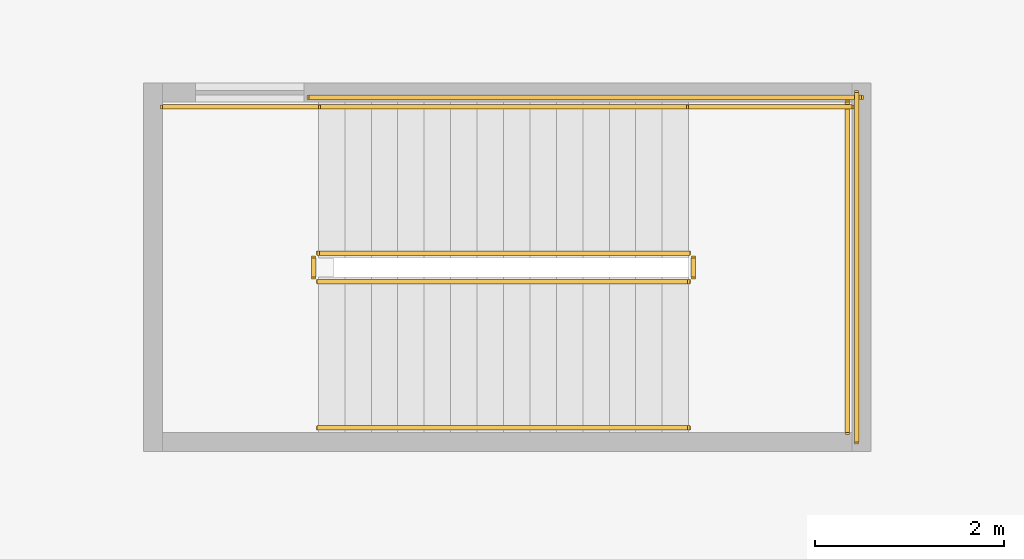
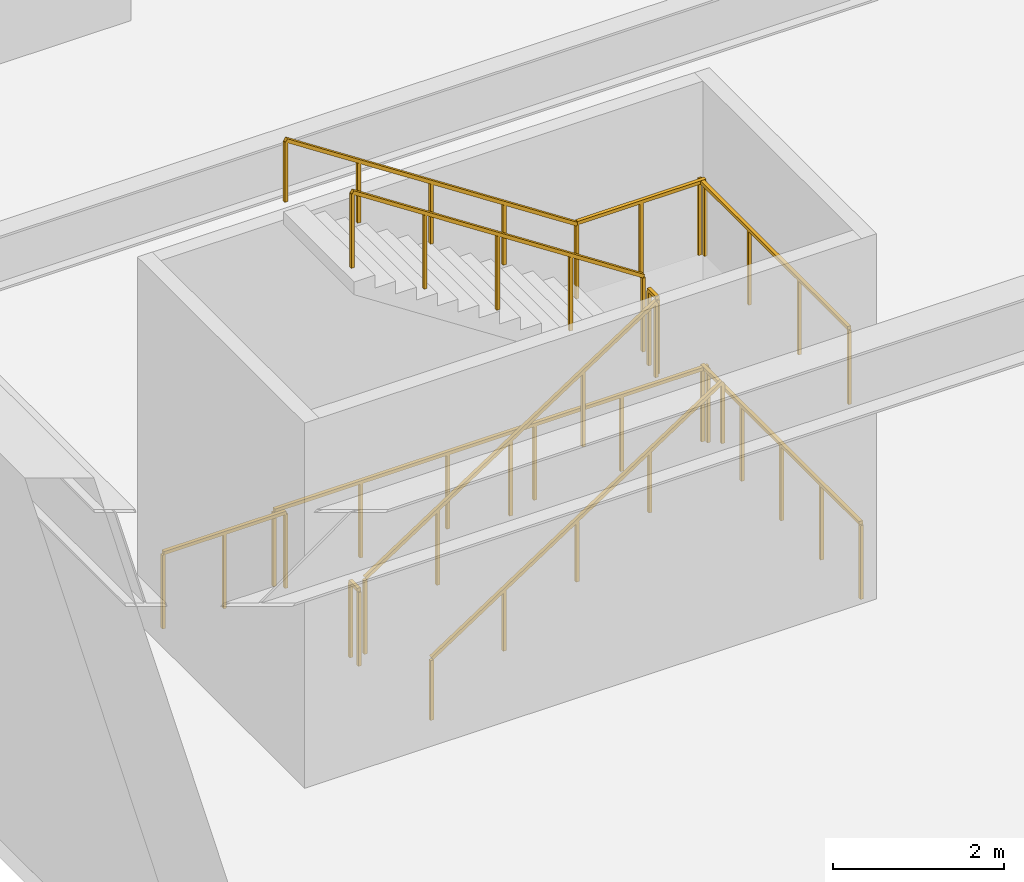
# One storey, part 13 of 17: 11 railings.
"""IFC4 building model written with IfcOpenShell, lengths in metres."""

from ifc_helpers import new_model, si_unit, direction, frame, origin, origin_2d, place, context, subcontext, project, spatial, rectangle, extrude, material, type_object, element, save


model = new_model("IFC4")

# Units and contexts
model_context = context("Model", 3, precision=1e-05, world=origin(), true_north=direction((0.0, 1.0)))
body_context = subcontext(model_context, "Body", "Model", "MODEL_VIEW")
ifc_project = project(units=[si_unit("LENGTHUNIT", "METRE"), si_unit("AREAUNIT", "SQUARE_METRE"), si_unit("VOLUMEUNIT", "CUBIC_METRE"), si_unit("PLANEANGLEUNIT", "RADIAN"), si_unit("MASSUNIT", "GRAM", prefix="KILO")], contexts=[model_context])

# Site, building, storey
site_placement = place(None, origin())
site = spatial("IfcSite", under=ifc_project, at=site_placement, CompositionType="ELEMENT")
building_placement = place(site_placement, origin())
building = spatial("IfcBuilding", under=site, at=building_placement, Name="Tashvorn Skyway Center", CompositionType="ELEMENT")
storey_placement = place(building_placement, frame((0.0, 0.0, -5.5)))
storey = spatial("IfcBuildingStorey", under=building, at=storey_placement, Name="B1", CompositionType="ELEMENT", Elevation=-5.5)

# Railings
ifc_material_1 = material(Name="Brushed stainless steel 316", Category="steel")
railing_type_1 = type_object("IfcRailingType", Name="RAIL-HAND-920", PredefinedType="HANDRAIL", material=ifc_material_1)
railing_1_placement = place(storey_placement, frame((5.449951171875, 9.85009765625, 0.183349609375)))
element("IfcRailing", 1, at=railing_1_placement, inside=storey, type_object=railing_type_1, Name="B1 ST-POD-1 stair handrail 1", PredefinedType="HANDRAIL", context=body_context, shape_type="SweptSolid", body=[
    extrude(rectangle(XDim=0.048095703125, YDim=0.048095703125, at=origin_2d()), frame((0.0, 0.0, 0.8759765625), z_axis=(0.836630751959, 0.0, 0.54776727255), x_axis=(0.0, 1.0, 0.0)), (0.0, 0.0, 1.0), 4.685546875),
    extrude(rectangle(XDim=0.0419921875, YDim=0.0419921875, at=origin_2d()), origin(), (0.0, 0.0, 1.0), 0.851806640625),
    extrude(rectangle(XDim=0.0419921875, YDim=0.0419921875, at=origin_2d()), frame((0.97998046875, 0.0, 0.6416015625)), (0.0, 0.0, 1.0), 0.851806640625),
    extrude(rectangle(XDim=0.0419921875, YDim=0.0419921875, at=origin_2d()), frame((1.9599609375, 0.0, 1.283203125)), (0.0, 0.0, 1.0), 0.851806640625),
    extrude(rectangle(XDim=0.0419921875, YDim=0.0419921875, at=origin_2d()), frame((2.940185546875, 0.0, 1.925048828125)), (0.0, 0.0, 1.0), 0.851806640625),
    extrude(rectangle(XDim=0.0419921875, YDim=0.0419921875, at=origin_2d()), frame((3.920166015625, 0.0, 2.566650390625)), (0.0, 0.0, 1.0), 0.851806640625),
])
railing_2_placement = place(storey_placement, frame((9.3701171875, 13.25, 2.933349609375)))
element("IfcRailing", 2, at=railing_2_placement, inside=storey, type_object=railing_type_1, Name="B1 ST-POD-1 stair handrail 2", PredefinedType="HANDRAIL", context=body_context, shape_type="SweptSolid", body=[
    extrude(rectangle(XDim=0.048095703125, YDim=0.048095703125, at=origin_2d()), frame((0.0, 0.0, 0.8759765625), z_axis=(-0.836630751959, 0.0, 0.54776727255), x_axis=(0.0, -1.0, 0.0)), (0.0, 0.0, 1.0), 4.685546875),
    extrude(rectangle(XDim=0.0419921875, YDim=0.0419921875, at=origin_2d()), origin(), (0.0, 0.0, 1.0), 0.851806640625),
    extrude(rectangle(XDim=0.0419921875, YDim=0.0419921875, at=origin_2d()), frame((-0.97998046875, 0.0, 0.6416015625)), (0.0, 0.0, 1.0), 0.851806640625),
    extrude(rectangle(XDim=0.0419921875, YDim=0.0419921875, at=origin_2d()), frame((-1.9599609375, 0.0, 1.283203125)), (0.0, 0.0, 1.0), 0.851806640625),
    extrude(rectangle(XDim=0.0419921875, YDim=0.0419921875, at=origin_2d()), frame((-2.940185546875, 0.0, 1.925048828125)), (0.0, 0.0, 1.0), 0.851806640625),
    extrude(rectangle(XDim=0.0419921875, YDim=0.0419921875, at=origin_2d()), frame((-3.920166015625, 0.0, 2.566650390625)), (0.0, 0.0, 1.0), 0.851806640625),
])
ifc_material_2 = material(Name="Painted galvanized steel S355", Category="steel")
railing_type_2 = type_object("IfcRailingType", Name="RAIL-STGUARD-1100", PredefinedType="GUARDRAIL", material=ifc_material_2)
railing_3_placement = place(storey_placement, frame((5.449951171875, 11.39990234375, 0.183349609375)))
element("IfcRailing", 3, at=railing_3_placement, inside=storey, type_object=railing_type_2, Name="B1 ST-POD-1 stair guard 1", PredefinedType="GUARDRAIL", context=body_context, shape_type="SweptSolid", body=[
    extrude(rectangle(XDim=0.048095703125, YDim=0.048095703125, at=origin_2d()), frame((0.0, 0.0, 1.076171875), z_axis=(0.836630751959, 0.0, 0.54776727255), x_axis=(0.0, 1.0, 0.0)), (0.0, 0.0, 1.0), 4.685546875),
    extrude(rectangle(XDim=0.0419921875, YDim=0.0419921875, at=origin_2d()), origin(), (0.0, 0.0, 1.0), 1.052001953125),
    extrude(rectangle(XDim=0.0419921875, YDim=0.0419921875, at=origin_2d()), frame((0.97998046875, 0.0, 0.6416015625)), (0.0, 0.0, 1.0), 1.052001953125),
    extrude(rectangle(XDim=0.0419921875, YDim=0.0419921875, at=origin_2d()), frame((1.9599609375, 0.0, 1.283203125)), (0.0, 0.0, 1.0), 1.052001953125),
    extrude(rectangle(XDim=0.0419921875, YDim=0.0419921875, at=origin_2d()), frame((2.940185546875, 0.0, 1.925048828125)), (0.0, 0.0, 1.0), 1.052001953125),
    extrude(rectangle(XDim=0.0419921875, YDim=0.0419921875, at=origin_2d()), frame((3.920166015625, 0.0, 2.566650390625)), (0.0, 0.0, 1.0), 1.052001953125),
])
railing_4_placement = place(storey_placement, frame((9.419921875, 11.449951171875, 2.75)))
element("IfcRailing", 4, at=railing_4_placement, inside=storey, type_object=railing_type_2, Name="B1 ST-POD-1 stair guard 2", PredefinedType="GUARDRAIL", context=body_context, shape_type="SweptSolid", body=[
    extrude(rectangle(XDim=0.048095703125, YDim=0.048095703125, at=origin_2d()), frame((0.0, 0.0, 1.076171875), z_axis=(0.0, 1.0, 0.0), x_axis=(-1.0, 0.0, 0.0)), (0.0, 0.0, 1.0), 0.199951171875),
    extrude(rectangle(XDim=0.0419921875, YDim=0.0419921875, at=origin_2d()), origin(), (0.0, 0.0, 1.0), 1.052001953125),
    extrude(rectangle(XDim=0.0419921875, YDim=0.0419921875, at=origin_2d()), frame((0.0, 0.199951171875, 0.0)), (0.0, 0.0, 1.0), 1.052001953125),
])
railing_5_placement = place(storey_placement, frame((9.3701171875, 13.25, 2.75)))
element("IfcRailing", 5, at=railing_5_placement, inside=storey, type_object=railing_type_2, Name="B1 ST-POD-1 stair guard 3", PredefinedType="GUARDRAIL", context=body_context, shape_type="SweptSolid", body=[
    extrude(rectangle(XDim=0.048095703125, YDim=0.048095703125, at=origin_2d()), frame((0.0, 0.0, 1.076171875), z_axis=(1.0, 0.0, 0.0), x_axis=(0.0, 1.0, 0.0)), (0.0, 0.0, 1.0), 1.72998046875),
    extrude(rectangle(XDim=0.0419921875, YDim=0.0419921875, at=origin_2d()), origin(), (0.0, 0.0, 1.0), 1.052001953125),
    extrude(rectangle(XDim=0.0419921875, YDim=0.0419921875, at=origin_2d()), frame((0.864990234375, 0.0, 0.0)), (0.0, 0.0, 1.0), 1.052001953125),
    extrude(rectangle(XDim=0.0419921875, YDim=0.0419921875, at=origin_2d()), frame((1.72998046875, 0.0, 0.0)), (0.0, 0.0, 1.0), 1.052001953125),
])
railing_6_placement = place(storey_placement, frame((11.050048828125, 9.800048828125, 2.75)))
element("IfcRailing", 6, at=railing_6_placement, inside=storey, type_object=railing_type_2, Name="B1 ST-POD-1 stair guard 4", PredefinedType="GUARDRAIL", context=body_context, shape_type="SweptSolid", body=[
    extrude(rectangle(XDim=0.048095703125, YDim=0.048095703125, at=origin_2d()), frame((0.0, 0.0, 1.076171875), z_axis=(0.0, 1.0, 0.0), x_axis=(-1.0, 0.0, 0.0)), (0.0, 0.0, 1.0), 3.5),
    extrude(rectangle(XDim=0.0419921875, YDim=0.0419921875, at=origin_2d()), origin(), (0.0, 0.0, 1.0), 1.052001953125),
    extrude(rectangle(XDim=0.0419921875, YDim=0.0419921875, at=origin_2d()), frame((0.0, 1.166748046875, 0.0)), (0.0, 0.0, 1.0), 1.052001953125),
    extrude(rectangle(XDim=0.0419921875, YDim=0.0419921875, at=origin_2d()), frame((0.0, 2.333251953125, 0.0)), (0.0, 0.0, 1.0), 1.052001953125),
    extrude(rectangle(XDim=0.0419921875, YDim=0.0419921875, at=origin_2d()), frame((0.0, 3.5, 0.0)), (0.0, 0.0, 1.0), 1.052001953125),
])
railing_7_placement = place(storey_placement, frame((9.3701171875, 11.699951171875, 2.933349609375)))
element("IfcRailing", 7, at=railing_7_placement, inside=storey, type_object=railing_type_2, Name="B1 ST-POD-1 stair guard 5", PredefinedType="GUARDRAIL", context=body_context, shape_type="SweptSolid", body=[
    extrude(rectangle(XDim=0.048095703125, YDim=0.048095703125, at=origin_2d()), frame((0.0, 0.0, 1.076171875), z_axis=(-0.836630751959, 0.0, 0.54776727255), x_axis=(0.0, -1.0, 0.0)), (0.0, 0.0, 1.0), 4.685546875),
    extrude(rectangle(XDim=0.0419921875, YDim=0.0419921875, at=origin_2d()), origin(), (0.0, 0.0, 1.0), 1.052001953125),
    extrude(rectangle(XDim=0.0419921875, YDim=0.0419921875, at=origin_2d()), frame((-0.97998046875, 0.0, 0.6416015625)), (0.0, 0.0, 1.0), 1.052001953125),
    extrude(rectangle(XDim=0.0419921875, YDim=0.0419921875, at=origin_2d()), frame((-1.9599609375, 0.0, 1.283203125)), (0.0, 0.0, 1.0), 1.052001953125),
    extrude(rectangle(XDim=0.0419921875, YDim=0.0419921875, at=origin_2d()), frame((-2.940185546875, 0.0, 1.925048828125)), (0.0, 0.0, 1.0), 1.052001953125),
    extrude(rectangle(XDim=0.0419921875, YDim=0.0419921875, at=origin_2d()), frame((-3.920166015625, 0.0, 2.566650390625)), (0.0, 0.0, 1.0), 1.052001953125),
])
railing_8_placement = place(storey_placement, frame((5.39990234375, 11.449951171875, 0.0)))
element("IfcRailing", 8, at=railing_8_placement, inside=storey, type_object=railing_type_2, Name="B1 ST-POD-1 stair guard 6", PredefinedType="GUARDRAIL", context=body_context, shape_type="SweptSolid", body=[
    extrude(rectangle(XDim=0.048095703125, YDim=0.048095703125, at=origin_2d()), frame((0.0, 0.0, 1.076171875), z_axis=(0.0, 1.0, 0.0), x_axis=(-1.0, 0.0, 0.0)), (0.0, 0.0, 1.0), 0.199951171875),
    extrude(rectangle(XDim=0.0419921875, YDim=0.0419921875, at=origin_2d()), origin(), (0.0, 0.0, 1.0), 1.052001953125),
    extrude(rectangle(XDim=0.0419921875, YDim=0.0419921875, at=origin_2d()), frame((0.0, 0.199951171875, 0.0)), (0.0, 0.0, 1.0), 1.052001953125),
])
railing_9_placement = place(storey_placement, frame((3.800048828125, 13.25, 0.0)))
element("IfcRailing", 9, at=railing_9_placement, inside=storey, type_object=railing_type_2, Name="B1 ST-POD-1 stair guard 7", PredefinedType="GUARDRAIL", context=body_context, shape_type="SweptSolid", body=[
    extrude(rectangle(XDim=0.048095703125, YDim=0.048095703125, at=origin_2d()), frame((0.0, 0.0, 1.076171875), z_axis=(1.0, 0.0, 0.0), x_axis=(0.0, 1.0, 0.0)), (0.0, 0.0, 1.0), 1.64990234375),
    extrude(rectangle(XDim=0.0419921875, YDim=0.0419921875, at=origin_2d()), origin(), (0.0, 0.0, 1.0), 1.052001953125),
    extrude(rectangle(XDim=0.0419921875, YDim=0.0419921875, at=origin_2d()), frame((0.824951171875, 0.0, 0.0)), (0.0, 0.0, 1.0), 1.052001953125),
    extrude(rectangle(XDim=0.0419921875, YDim=0.0419921875, at=origin_2d()), frame((1.64990234375, 0.0, 0.0)), (0.0, 0.0, 1.0), 1.052001953125),
])
railing_10_placement = place(storey_placement, frame((5.35009765625, 13.35009765625, 0.0)))
element("IfcRailing", 10, at=railing_10_placement, inside=storey, type_object=railing_type_2, Name="B1 ST-POD-1 stair guard 8", PredefinedType="GUARDRAIL", context=body_context, shape_type="SweptSolid", body=[
    extrude(rectangle(XDim=0.048095703125, YDim=0.048095703125, at=origin_2d()), frame((0.0, 0.0, 1.076171875), z_axis=(1.0, 0.0, 0.0), x_axis=(0.0, 1.0, 0.0)), (0.0, 0.0, 1.0), 5.849853515625),
    extrude(rectangle(XDim=0.0419921875, YDim=0.0419921875, at=origin_2d()), origin(), (0.0, 0.0, 1.0), 1.052001953125),
    extrude(rectangle(XDim=0.0419921875, YDim=0.0419921875, at=origin_2d()), frame((1.169921875, 0.0, 0.0)), (0.0, 0.0, 1.0), 1.052001953125),
    extrude(rectangle(XDim=0.0419921875, YDim=0.0419921875, at=origin_2d()), frame((2.33984375, 0.0, 0.0)), (0.0, 0.0, 1.0), 1.052001953125),
    extrude(rectangle(XDim=0.0419921875, YDim=0.0419921875, at=origin_2d()), frame((3.510009765625, 0.0, 0.0)), (0.0, 0.0, 1.0), 1.052001953125),
    extrude(rectangle(XDim=0.0419921875, YDim=0.0419921875, at=origin_2d()), frame((4.679931640625, 0.0, 0.0)), (0.0, 0.0, 1.0), 1.052001953125),
    extrude(rectangle(XDim=0.0419921875, YDim=0.0419921875, at=origin_2d()), frame((5.849853515625, 0.0, 0.0)), (0.0, 0.0, 1.0), 1.052001953125),
])
railing_11_placement = place(storey_placement, frame((11.14990234375, 9.699951171875, 0.0)))
element("IfcRailing", 11, at=railing_11_placement, inside=storey, type_object=railing_type_2, Name="B1 ST-POD-1 stair guard 9", PredefinedType="GUARDRAIL", context=body_context, shape_type="SweptSolid", body=[
    extrude(rectangle(XDim=0.048095703125, YDim=0.048095703125, at=origin_2d()), frame((0.0, 0.0, 1.076171875), z_axis=(0.0, 1.0, 0.0), x_axis=(-1.0, 0.0, 0.0)), (0.0, 0.0, 1.0), 3.699951171875),
    extrude(rectangle(XDim=0.0419921875, YDim=0.0419921875, at=origin_2d()), origin(), (0.0, 0.0, 1.0), 1.052001953125),
    extrude(rectangle(XDim=0.0419921875, YDim=0.0419921875, at=origin_2d()), frame((0.0, 0.925048828125, 0.0)), (0.0, 0.0, 1.0), 1.052001953125),
    extrude(rectangle(XDim=0.0419921875, YDim=0.0419921875, at=origin_2d()), frame((0.0, 1.85009765625, 0.0)), (0.0, 0.0, 1.0), 1.052001953125),
    extrude(rectangle(XDim=0.0419921875, YDim=0.0419921875, at=origin_2d()), frame((0.0, 2.77490234375, 0.0)), (0.0, 0.0, 1.0), 1.052001953125),
    extrude(rectangle(XDim=0.0419921875, YDim=0.0419921875, at=origin_2d()), frame((0.0, 3.699951171875, 0.0)), (0.0, 0.0, 1.0), 1.052001953125),
])

save(model, "model.ifc")
